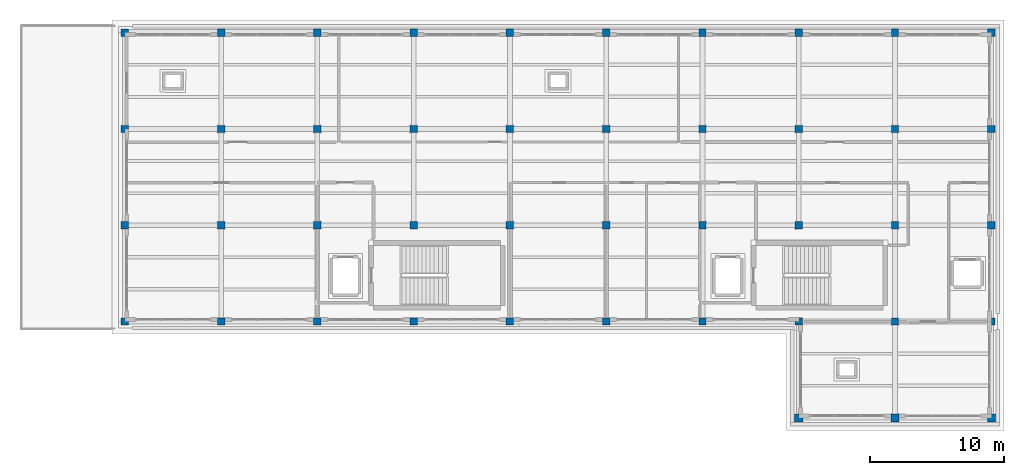
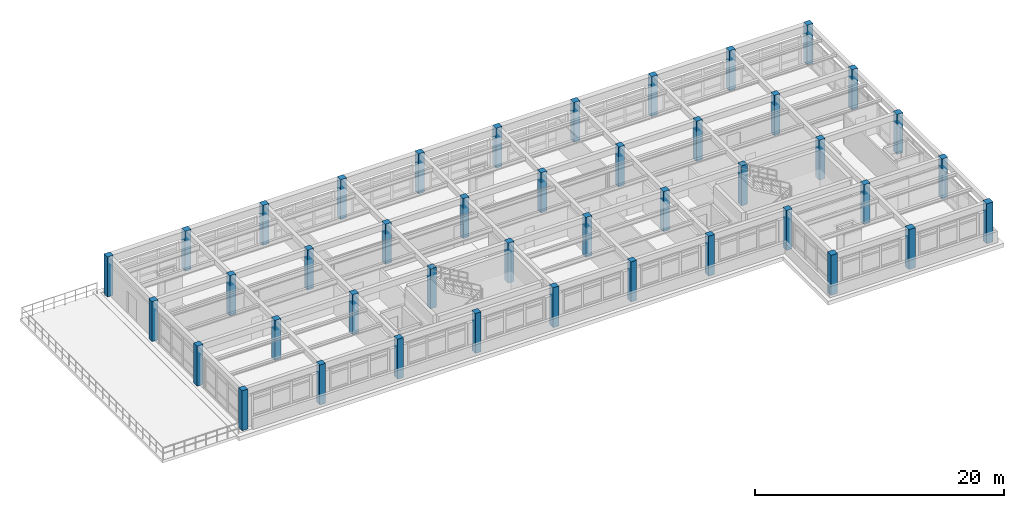
# One storey, part 1 of 21: 43 columns.
"""IFC4 building model written with IfcOpenShell, lengths in metres."""

from ifc_helpers import new_model, si_unit, direction, frame, origin, origin_2d, place, context, subcontext, project, spatial, rectangle, extrude, material, material_profile, profile_set, type_object, element, save


model = new_model("IFC4")

# Units and contexts
model_context = context("Model", 3, precision=1e-05, world=origin(), true_north=direction((0.0, 1.0)))
body_context = subcontext(model_context, "Body", "Model", "MODEL_VIEW")
ifc_project = project(units=[si_unit("LENGTHUNIT", "METRE"), si_unit("AREAUNIT", "SQUARE_METRE"), si_unit("VOLUMEUNIT", "CUBIC_METRE"), si_unit("PLANEANGLEUNIT", "RADIAN"), si_unit("MASSUNIT", "GRAM", prefix="KILO")], contexts=[model_context])

# Site, building, storey
site_placement = place(None, origin())
site = spatial("IfcSite", under=ifc_project, at=site_placement, CompositionType="ELEMENT")
building_placement = place(site_placement, origin())
building = spatial("IfcBuilding", under=site, at=building_placement, Name="Solenvale Faculty of Natural Sciences", CompositionType="ELEMENT")
storey_placement = place(building_placement, frame((0.0, 0.0, 31.199951171875)))
storey = spatial("IfcBuildingStorey", under=building, at=storey_placement, Name="L07", CompositionType="ELEMENT", Elevation=31.199951171875)

# Columns
ifc_material = material(Name="Concrete 40 MPa", Category="concrete")
ifc_material_profile_1 = material_profile(ifc_material, rectangle(XDim=0.550048828125, YDim=0.550048828125, at=origin_2d()), Name="RC-COL-550x550")
ifc_profile_set_1 = profile_set([ifc_material_profile_1], Name="Concrete 40 MPa")
column_type_1 = type_object("IfcColumnType", Name="COL-RC-550", PredefinedType="COLUMN", material=ifc_profile_set_1)
for number, where, z_axis, x_axis, name in (
    (1, (86.39990234375, 93.60009765625, 0.0), (0.0, 0.0, 1.0), (1.0, 0.0, 0.0), "L07 Column (86.4, 93.6)"),
    (2, (86.39990234375, 100.800048828125, 0.0), (0.0, 0.0, 1.0), (1.0, 0.0, 0.0), "L07 Column (86.4, 100.8)"),
    (3, (86.39990234375, 108.0, 0.0), (0.0, 0.0, 1.0), (1.0, 0.0, 0.0), "L07 Column (86.4, 108.0)"),
    (4, (86.39990234375, 115.199951171875, 0.0), (0.0, 0.0, 1.0), (1.0, 0.0, 0.0), "L07 Column (86.4, 115.2)"),
    (5, (93.60009765625, 93.60009765625, 0.0), (0.0, 0.0, 1.0), (1.0, 0.0, 0.0), "L07 Column (93.6, 93.6)"),
    (6, (93.60009765625, 100.800048828125, 0.0), (0.0, 0.0, 1.0), (1.0, 0.0, 0.0), "L07 Column (93.6, 100.8)"),
    (7, (93.60009765625, 108.0, 0.0), (0.0, 0.0, 1.0), (1.0, 0.0, 0.0), "L07 Column (93.6, 108.0)"),
    (8, (93.60009765625, 115.199951171875, 0.0), (0.0, 0.0, 1.0), (1.0, 0.0, 0.0), "L07 Column (93.6, 115.2)"),
    (9, (100.800048828125, 93.60009765625, 0.0), (0.0, 0.0, 1.0), (1.0, 0.0, 0.0), "L07 Column (100.8, 93.6)"),
    (10, (100.800048828125, 100.800048828125, 0.0), (0.0, 0.0, 1.0), (1.0, 0.0, 0.0), "L07 Column (100.8, 100.8)"),
    (11, (100.800048828125, 108.0, 0.0), (0.0, 0.0, 1.0), (1.0, 0.0, 0.0), "L07 Column (100.8, 108.0)"),
    (12, (100.800048828125, 115.199951171875, 0.0), (0.0, 0.0, 1.0), (1.0, 0.0, 0.0), "L07 Column (100.8, 115.2)"),
    (13, (108.0, 93.60009765625, 0.0), (0.0, 0.0, 1.0), (1.0, 0.0, 0.0), "L07 Column (108.0, 93.6)"),
    (14, (108.0, 100.800048828125, 0.0), (0.0, 0.0, 1.0), (1.0, 0.0, 0.0), "L07 Column (108.0, 100.8)"),
    (15, (108.0, 108.0, 0.0), (0.0, 0.0, 1.0), (1.0, 0.0, 0.0), "L07 Column (108.0, 108.0)"),
    (16, (108.0, 115.199951171875, 0.0), (0.0, 0.0, 1.0), (1.0, 0.0, 0.0), "L07 Column (108.0, 115.2)"),
    (17, (115.199951171875, 93.60009765625, 0.0), (0.0, 0.0, 1.0), (1.0, 0.0, 0.0), "L07 Column (115.2, 93.6)"),
    (18, (115.199951171875, 100.800048828125, 0.0), (0.0, 0.0, 1.0), (1.0, 0.0, 0.0), "L07 Column (115.2, 100.8)"),
    (19, (115.199951171875, 108.0, 0.0), (0.0, 0.0, 1.0), (1.0, 0.0, 0.0), "L07 Column (115.2, 108.0)"),
    (20, (115.199951171875, 115.199951171875, 0.0), (0.0, 0.0, 1.0), (1.0, 0.0, 0.0), "L07 Column (115.2, 115.2)"),
    (21, (122.39990234375, 93.60009765625, 0.0), (0.0, 0.0, 1.0), (1.0, 0.0, 0.0), "L07 Column (122.4, 93.6)"),
    (22, (122.39990234375, 100.800048828125, 0.0), (0.0, 0.0, 1.0), (1.0, 0.0, 0.0), "L07 Column (122.4, 100.8)"),
    (23, (122.39990234375, 108.0, 0.0), (0.0, 0.0, 1.0), (1.0, 0.0, 0.0), "L07 Column (122.4, 108.0)"),
    (24, (122.39990234375, 115.199951171875, 0.0), (0.0, 0.0, 1.0), (1.0, 0.0, 0.0), "L07 Column (122.4, 115.2)"),
    (25, (129.60009765625, 93.60009765625, 0.0), (0.0, 0.0, 1.0), (1.0, 0.0, 0.0), "L07 Column (129.6, 93.6)"),
    (26, (129.60009765625, 100.800048828125, 0.0), (0.0, 0.0, 1.0), (1.0, 0.0, 0.0), "L07 Column (129.6, 100.8)"),
    (27, (129.60009765625, 108.0, 0.0), (0.0, 0.0, 1.0), (1.0, 0.0, 0.0), "L07 Column (129.6, 108.0)"),
    (28, (129.60009765625, 115.199951171875, 0.0), (0.0, 0.0, 1.0), (1.0, 0.0, 0.0), "L07 Column (129.6, 115.2)"),
    (29, (136.800048828125, 93.60009765625, 0.0), (0.0, 0.0, 1.0), (1.0, 0.0, 0.0), "L07 Column (136.8, 93.6)"),
    (30, (136.800048828125, 100.800048828125, 0.0), (0.0, 0.0, 1.0), (1.0, 0.0, 0.0), "L07 Column (136.8, 100.8)"),
    (31, (136.800048828125, 108.0, 0.0), (0.0, 0.0, 1.0), (1.0, 0.0, 0.0), "L07 Column (136.8, 108.0)"),
    (32, (136.800048828125, 115.199951171875, 0.0), (0.0, 0.0, 1.0), (1.0, 0.0, 0.0), "L07 Column (136.8, 115.2)"),
    (33, (144.0, 93.60009765625, 0.0), (0.0, 0.0, 1.0), (1.0, 0.0, 0.0), "L07 Column (144.0, 93.6)"),
    (34, (144.0, 100.800048828125, 0.0), (0.0, 0.0, 1.0), (1.0, 0.0, 0.0), "L07 Column (144.0, 100.8)"),
    (35, (144.0, 108.0, 0.0), (0.0, 0.0, 1.0), (1.0, 0.0, 0.0), "L07 Column (144.0, 108.0)"),
    (36, (144.0, 115.199951171875, 0.0), (0.0, 0.0, 1.0), (1.0, 0.0, 0.0), "L07 Column (144.0, 115.2)"),
    (37, (151.199951171875, 93.60009765625, 0.0), (0.0, 0.0, 1.0), (1.0, 0.0, 0.0), "L07 Column (151.2, 93.6)"),
    (38, (151.199951171875, 100.800048828125, 0.0), (0.0, 0.0, 1.0), (1.0, 0.0, 0.0), "L07 Column (151.2, 100.8)"),
    (39, (151.199951171875, 108.0, 0.0), (0.0, 0.0, 1.0), (1.0, 0.0, 0.0), "L07 Column (151.2, 108.0)"),
    (40, (151.199951171875, 115.199951171875, 0.0), (0.0, 0.0, 1.0), (1.0, 0.0, 0.0), "L07 Column (151.2, 115.2)"),
):
    element("IfcColumn", number, at=place(storey_placement, frame(where, z_axis=z_axis, x_axis=x_axis)), inside=storey, type_object=column_type_1, Name=name, PredefinedType="COLUMN", context=body_context, shape_type="SweptSolid", body=[
        extrude(rectangle(XDim=0.550048828125, YDim=0.550048828125, at=origin_2d()), origin(), (0.0, 0.0, 1.0), 3.920166015625),
    ])
ifc_material_profile_2 = material_profile(ifc_material, rectangle(XDim=0.60009765625, YDim=0.60009765625, at=origin_2d()), Name="RC-COL-600x600")
ifc_profile_set_2 = profile_set([ifc_material_profile_2], Name="Concrete 40 MPa")
column_type_2 = type_object("IfcColumnType", Name="COL-RC-600", PredefinedType="COLUMN", material=ifc_profile_set_2)
for number, where, z_axis, x_axis, name in (
    (41, (136.800048828125, 86.39990234375, 0.0), (0.0, 0.0, 1.0), (1.0, 0.0, 0.0), "L07 Column (136.8, 86.4)"),
    (42, (144.0, 86.39990234375, 0.0), (0.0, 0.0, 1.0), (1.0, 0.0, 0.0), "L07 Column (144.0, 86.4)"),
    (43, (151.199951171875, 86.39990234375, 0.0), (0.0, 0.0, 1.0), (1.0, 0.0, 0.0), "L07 Column (151.2, 86.4)"),
):
    element("IfcColumn", number, at=place(storey_placement, frame(where, z_axis=z_axis, x_axis=x_axis)), inside=storey, type_object=column_type_2, Name=name, PredefinedType="COLUMN", context=body_context, shape_type="SweptSolid", body=[
        extrude(rectangle(XDim=0.60009765625, YDim=0.60009765625, at=origin_2d()), origin(), (0.0, 0.0, 1.0), 3.920166015625),
    ])

save(model, "model.ifc")
